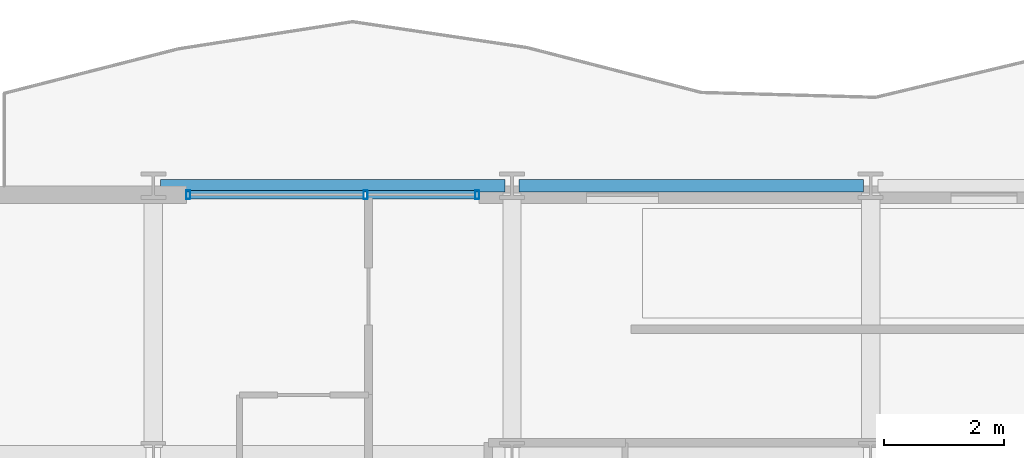
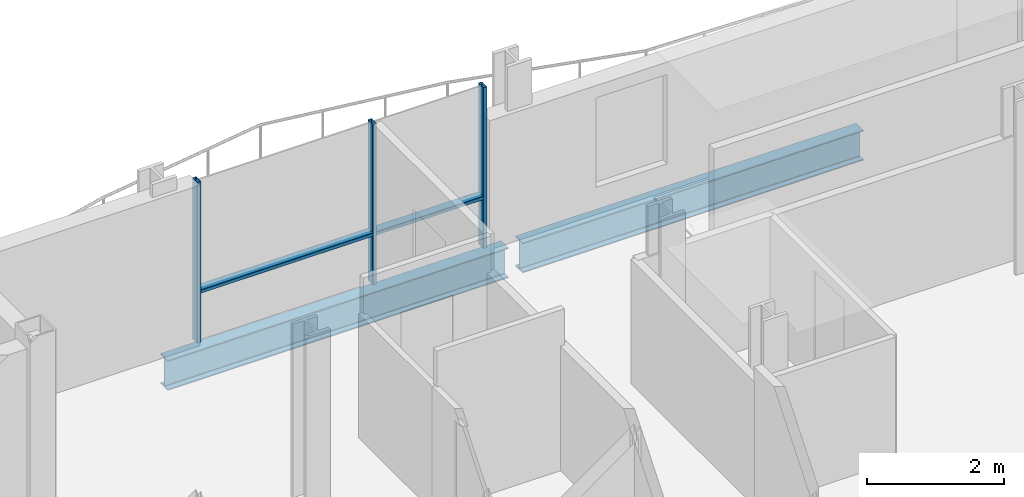
# One storey, part 21 of 41: 5 members, 2 beams, 1 element without a shape of its own.
"""IFC4 building model written with IfcOpenShell, lengths in metres."""

from ifc_helpers import new_model, si_unit, direction, frame, origin, origin_2d, place, context, subcontext, project, spatial, hollow_rectangle, i_section, extrude, material, layer, layer_set, material_profile, profile_set, type_object, element, aggregate, save


model = new_model("IFC4")

# Units and contexts
model_context = context("Model", 3, precision=1e-05, world=origin(), true_north=direction((0.0, 1.0)))
body_context = subcontext(model_context, "Body", "Model", "MODEL_VIEW")
ifc_project = project(units=[si_unit("LENGTHUNIT", "METRE"), si_unit("AREAUNIT", "SQUARE_METRE"), si_unit("VOLUMEUNIT", "CUBIC_METRE"), si_unit("PLANEANGLEUNIT", "RADIAN"), si_unit("MASSUNIT", "GRAM", prefix="KILO")], contexts=[model_context])

# Site, building, storey
site_placement = place(None, origin())
site = spatial("IfcSite", under=ifc_project, at=site_placement, CompositionType="ELEMENT")
building_placement = place(site_placement, origin())
building = spatial("IfcBuilding", under=site, at=building_placement, Name="Brevholm Reach", CompositionType="ELEMENT")
storey_placement = place(building_placement, frame((0.0, 0.0, 68.300048828125)))
storey = spatial("IfcBuildingStorey", under=building, at=storey_placement, Name="L19", CompositionType="ELEMENT", Elevation=68.300048828125)

# Beams
ifc_material_1 = material(Name="Structural Steel S355J2", Category="steel")
ifc_material_profile_1 = material_profile(ifc_material_1, i_section(OverallWidth=0.210693359375, OverallDepth=0.53955078125, WebThickness=0.01171875, FlangeThickness=0.018798828125, FilletRadius=0.0126953125, at=origin_2d()), Name="UKB 533x210x109")
ifc_profile_set_1 = profile_set([ifc_material_profile_1], Name="Structural Steel S355J2")
beam_type = type_object("IfcBeamType", Name="BM-SP539", PredefinedType="SPANDREL", material=ifc_profile_set_1)
for number, where, z_axis, x_axis, name in (
    (1, (6.1201171875, 31.0, -0.499755859375), (1.0, 0.0, 0.0), (0.0, 1.0, 0.0), "L19 SP-01B Framing Beam"),
    (2, (12.1201171875, 31.0, -0.499755859375), (1.0, 0.0, 0.0), (0.0, 1.0, 0.0), "L19 SP-01B Framing Beam"),
):
    element("IfcBeam", number, at=place(storey_placement, frame(where, z_axis=z_axis, x_axis=x_axis)), inside=storey, type_object=beam_type, Name=name, PredefinedType="SPANDREL", context=body_context, shape_type="SweptSolid", body=[
        extrude(i_section(OverallWidth=0.210693359375, OverallDepth=0.53955078125, WebThickness=0.01171875, FlangeThickness=0.018798828125, FilletRadius=0.0126953125, at=origin_2d()), origin(), (0.0, 0.0, 1.0), 5.759765625),
    ])

# Curtain wall, members
ifc_material_2 = material(Name="Dark Anodised Aluminium 6063-T6 and Solar-Control Glass", Category="aluminium")
ifc_layer = layer(ifc_material_2, 0.14990234375)
ifc_layer_set = layer_set([ifc_layer], Name="Dark Anodised Aluminium 6063-T6 and Solar-Control Glass")
curtain_wall_type = type_object("IfcCurtainWallType", Name="CW-01", PredefinedType="NOTDEFINED", material=ifc_layer_set)
curtain_wall_placement = place(storey_placement, origin())
curtain_wall = element("IfcCurtainWall", 3, at=curtain_wall_placement, inside=storey, type_object=curtain_wall_type, Name="L19 Curtain Wall CW-01", PredefinedType="NOTDEFINED")
ifc_material_3 = material(Name="Dark Anodised Aluminium 6063-T6", Category="aluminium")
ifc_material_profile_2 = material_profile(ifc_material_3, hollow_rectangle(XDim=0.06494140625, YDim=0.14990234375, WallThickness=0.0048828125, InnerFilletRadius=0.0048828125, OuterFilletRadius=0.010009765625, at=origin_2d()), Name="RHS 150x65x5")
ifc_profile_set_2 = profile_set([ifc_material_profile_2], Name="Dark Anodised Aluminium 6063-T6")
member_type_1 = type_object("IfcMemberType", Name="CWM-150", PredefinedType="MULLION", material=ifc_profile_set_2)
member_1_placement = place(storey_placement, frame((6.58251953125, 30.85009765625, 0.0), z_axis=(0.0, 0.0, 1.0), x_axis=(1.0, 0.0, 0.0)))
member_1 = element("IfcMember", 4, at=member_1_placement, type_object=member_type_1, Name="CM-150 Mullion 1", PredefinedType="MULLION", context=body_context, shape_type="SweptSolid", body=[
    extrude(hollow_rectangle(XDim=0.06494140625, YDim=0.14990234375, WallThickness=0.0048828125, InnerFilletRadius=0.0048828125, OuterFilletRadius=0.010009765625, at=origin_2d()), origin(), (0.0, 0.0, 1.0), 2.869873046875),
])
member_2_placement = place(storey_placement, frame((9.550048828125, 30.85009765625, 0.0), z_axis=(0.0, 0.0, 1.0), x_axis=(1.0, 0.0, 0.0)))
member_2 = element("IfcMember", 5, at=member_2_placement, type_object=member_type_1, Name="CM-150 Mullion 2", PredefinedType="MULLION", context=body_context, shape_type="SweptSolid", body=[
    extrude(hollow_rectangle(XDim=0.06494140625, YDim=0.14990234375, WallThickness=0.0048828125, InnerFilletRadius=0.0048828125, OuterFilletRadius=0.010009765625, at=origin_2d()), origin(), (0.0, 0.0, 1.0), 2.869873046875),
])
member_3_placement = place(storey_placement, frame((11.41748046875, 30.85009765625, 0.0), z_axis=(0.0, 0.0, 1.0), x_axis=(1.0, 0.0, 0.0)))
member_3 = element("IfcMember", 6, at=member_3_placement, type_object=member_type_1, Name="CM-150 Mullion 3", PredefinedType="MULLION", context=body_context, shape_type="SweptSolid", body=[
    extrude(hollow_rectangle(XDim=0.06494140625, YDim=0.14990234375, WallThickness=0.0048828125, InnerFilletRadius=0.0048828125, OuterFilletRadius=0.010009765625, at=origin_2d()), origin(), (0.0, 0.0, 1.0), 2.869873046875),
])
ifc_material_4 = material(Name="Dark Anodised Aluminium 6063-T6", Category="aluminium")
ifc_material_profile_3 = material_profile(ifc_material_4, hollow_rectangle(XDim=0.06494140625, YDim=0.14990234375, WallThickness=0.0048828125, InnerFilletRadius=0.0048828125, OuterFilletRadius=0.010009765625, at=origin_2d()), Name="RHS 150x65x5")
ifc_profile_set_3 = profile_set([ifc_material_profile_3], Name="Dark Anodised Aluminium 6063-T6")
member_type_2 = type_object("IfcMemberType", Name="CWT-150", PredefinedType="NOTDEFINED", material=ifc_profile_set_3)
member_4_placement = place(storey_placement, frame((6.614990234375, 30.85009765625, 0.89990234375), z_axis=(1.0, 0.0, 0.0), x_axis=(0.0, 0.0, 1.0)))
member_4 = element("IfcMember", 7, at=member_4_placement, type_object=member_type_2, Name="CT-150 Transom 1.1", ObjectType="TRANSOM", PredefinedType="USERDEFINED", context=body_context, shape_type="SweptSolid", body=[
    extrude(hollow_rectangle(XDim=0.06494140625, YDim=0.14990234375, WallThickness=0.0048828125, InnerFilletRadius=0.0048828125, OuterFilletRadius=0.010009765625, at=origin_2d()), origin(), (0.0, 0.0, 1.0), 2.902587890625),
])
member_5_placement = place(storey_placement, frame((9.58251953125, 30.85009765625, 0.89990234375), z_axis=(1.0, 0.0, 0.0), x_axis=(0.0, 0.0, 1.0)))
member_5 = element("IfcMember", 8, at=member_5_placement, type_object=member_type_2, Name="CT-150 Transom 2.1", ObjectType="TRANSOM", PredefinedType="USERDEFINED", context=body_context, shape_type="SweptSolid", body=[
    extrude(hollow_rectangle(XDim=0.06494140625, YDim=0.14990234375, WallThickness=0.0048828125, InnerFilletRadius=0.0048828125, OuterFilletRadius=0.010009765625, at=origin_2d()), origin(), (0.0, 0.0, 1.0), 1.802490234375),
])
aggregate(curtain_wall, [member_1, member_2, member_3, member_4, member_5])

save(model, "model.ifc")
